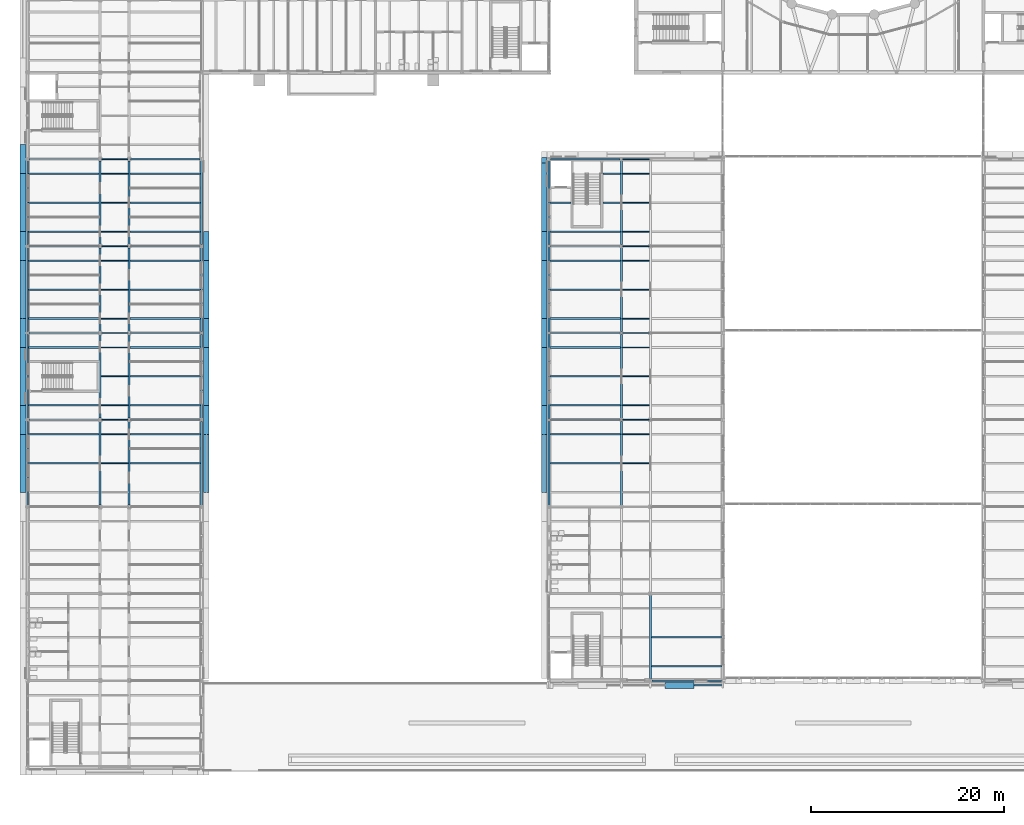
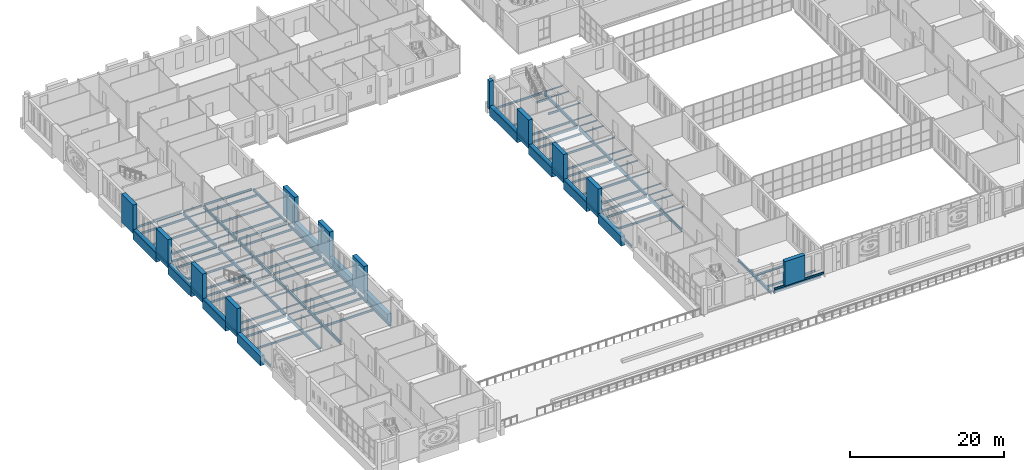
# One storey, part 23 of 134: 115 beams, 12 members.
"""IFC4 building model written with IfcOpenShell, lengths in metres."""

from ifc_helpers import new_model, si_unit, direction, frame, origin, origin_2d, place, context, subcontext, project, spatial, rectangle, i_section, extrude, material, material_profile, profile_set, type_object, element, save


model = new_model("IFC4")

# Units and contexts
model_context = context("Model", 3, precision=1e-05, world=origin(), true_north=direction((0.0, 1.0)))
body_context = subcontext(model_context, "Body", "Model", "MODEL_VIEW")
ifc_project = project(units=[si_unit("LENGTHUNIT", "METRE"), si_unit("AREAUNIT", "SQUARE_METRE"), si_unit("VOLUMEUNIT", "CUBIC_METRE"), si_unit("PLANEANGLEUNIT", "RADIAN"), si_unit("MASSUNIT", "GRAM", prefix="KILO")], contexts=[model_context])

# Site, building, storey
site_placement = place(None, origin())
site = spatial("IfcSite", under=ifc_project, at=site_placement, CompositionType="ELEMENT")
building_placement = place(site_placement, origin())
building = spatial("IfcBuilding", under=site, at=building_placement, Name="Golden Quay Civic Hall", CompositionType="ELEMENT")
storey_placement = place(building_placement, frame((0.0, 0.0, 5.39990234375)))
storey = spatial("IfcBuildingStorey", under=building, at=storey_placement, Name="L01", CompositionType="ELEMENT", Elevation=5.39990234375)

# Members
ifc_material_1 = material(Name="Concrete C40/50", Category="concrete")
ifc_material_profile_1 = material_profile(ifc_material_1, rectangle(XDim=3.0, YDim=0.60009765625, at=origin_2d()), Name="RC 3000x600")
ifc_profile_set_1 = profile_set([ifc_material_profile_1], Name="Concrete C40/50")
member_type_1 = type_object("IfcMemberType", Name="Precast concrete facade pier 3000 x 600", PredefinedType="POST", material=ifc_profile_set_1)
for number, where, z_axis, x_axis, name in (
    (1, (-0.5, 27.0, 0.0), (0.0, 0.0, 1.0), (0.0, 1.0, 0.0), "Precast concrete facade pier 3000 x 600 L01 3"),
    (2, (-0.5, 36.0, 0.0), (0.0, 0.0, 1.0), (0.0, 1.0, 0.0), "Precast concrete facade pier 3000 x 600 L01 4"),
    (3, (-0.5, 45.0, 0.0), (0.0, 0.0, 1.0), (0.0, 1.0, 0.0), "Precast concrete facade pier 3000 x 600 L01 5"),
    (4, (-0.5, 54.0, 0.0), (0.0, 0.0, 1.0), (0.0, 1.0, 0.0), "Precast concrete facade pier 3000 x 600 L01 6"),
    (5, (18.5, 27.0, 0.0), (0.0, 0.0, 1.0), (0.0, 1.0, 0.0), "Precast concrete facade pier 3000 x 600 L01 13"),
    (6, (18.5, 36.0, 0.0), (0.0, 0.0, 1.0), (0.0, 1.0, 0.0), "Precast concrete facade pier 3000 x 600 L01 14"),
    (7, (18.5, 45.0, 0.0), (0.0, 0.0, 1.0), (0.0, 1.0, 0.0), "Precast concrete facade pier 3000 x 600 L01 15"),
    (8, (53.5, 27.0, 0.0), (0.0, 0.0, 1.0), (0.0, 1.0, 0.0), "Precast concrete facade pier 3000 x 600 L01 19"),
    (9, (53.5, 36.0, 0.0), (0.0, 0.0, 1.0), (0.0, 1.0, 0.0), "Precast concrete facade pier 3000 x 600 L01 20"),
    (10, (53.5, 45.0, 0.0), (0.0, 0.0, 1.0), (0.0, 1.0, 0.0), "Precast concrete facade pier 3000 x 600 L01 21"),
):
    element("IfcMember", number, at=place(storey_placement, frame(where, z_axis=z_axis, x_axis=x_axis)), inside=storey, type_object=member_type_1, Name=name, PredefinedType="POST", context=body_context, shape_type="SweptSolid", body=[
        extrude(rectangle(XDim=3.0, YDim=0.60009765625, at=origin_2d()), origin(), (0.0, 0.0, 1.0), 4.5),
    ])
member_1_placement = place(storey_placement, frame((67.5, -0.5, 0.66015625), z_axis=(0.0, 0.0, 1.0), x_axis=(1.0, 0.0, 0.0)))
element("IfcMember", 11, at=member_1_placement, inside=storey, type_object=member_type_1, Name="Precast concrete facade pier 3000 x 600 L01 25", PredefinedType="POST", context=body_context, shape_type="SweptSolid", body=[
    extrude(rectangle(XDim=3.0, YDim=0.60009765625, at=origin_2d()), origin(), (0.0, 0.0, 1.0), 3.83984375),
])
ifc_material_2 = material(Name="Concrete C40/50", Category="concrete")
ifc_material_profile_2 = material_profile(ifc_material_2, rectangle(XDim=0.60009765625, YDim=0.60009765625, at=origin_2d()), Name="RC 600x600")
ifc_profile_set_2 = profile_set([ifc_material_profile_2], Name="Concrete C40/50")
member_type_2 = type_object("IfcMemberType", Name="Precast concrete facade post 600 x 600", PredefinedType="POST", material=ifc_profile_set_2)
member_2_placement = place(storey_placement, frame((53.5, 53.89990234375, 0.0), z_axis=(0.0, 0.0, 1.0), x_axis=(1.0, 0.0, 0.0)))
element("IfcMember", 12, at=member_2_placement, inside=storey, type_object=member_type_2, Name="Precast concrete facade post 600 x 600 L01 6", PredefinedType="POST", context=body_context, shape_type="SweptSolid", body=[
    extrude(rectangle(XDim=0.60009765625, YDim=0.60009765625, at=origin_2d()), origin(), (0.0, 0.0, 1.0), 4.5),
])

# Beams
ifc_material_3 = material(Name="Concrete C40/50", Category="concrete")
ifc_material_profile_3 = material_profile(ifc_material_3, rectangle(XDim=0.60009765625, YDim=1.5, at=origin_2d()), Name="RC 600x1500")
ifc_profile_set_3 = profile_set([ifc_material_profile_3], Name="Concrete C40/50")
beam_type_1 = type_object("IfcBeamType", Name="Precast concrete spandrel beam 600 x 1500", PredefinedType="SPANDREL", material=ifc_profile_set_3)
for number, where, z_axis, x_axis, name in (
    (13, (-0.5, 28.5, -0.14990234375), (0.0, 1.0, 0.0), (-1.0, 0.0, 0.0), "Precast concrete spandrel beam 600 x 1500 L01 1"),
    (14, (-0.5, 46.5, -0.14990234375), (0.0, 1.0, 0.0), (-1.0, 0.0, 0.0), "Precast concrete spandrel beam 600 x 1500 L01 8"),
    (15, (-0.5, 37.5, -0.14990234375), (0.0, 1.0, 0.0), (-1.0, 0.0, 0.0), "Precast concrete spandrel beam 600 x 1500 L01 9"),
    (16, (-0.5, 19.5, -0.14990234375), (0.0, 1.0, 0.0), (-1.0, 0.0, 0.0), "Precast concrete spandrel beam 600 x 1500 L01 10"),
    (17, (18.5, 28.5, -0.14990234375), (0.0, 1.0, 0.0), (-1.0, 0.0, 0.0), "Precast concrete spandrel beam 600 x 1500 L01 13"),
    (18, (18.5, 37.5, -0.14990234375), (0.0, 1.0, 0.0), (-1.0, 0.0, 0.0), "Precast concrete spandrel beam 600 x 1500 L01 14"),
    (19, (18.5, 19.5, -0.14990234375), (0.0, 1.0, 0.0), (-1.0, 0.0, 0.0), "Precast concrete spandrel beam 600 x 1500 L01 15"),
    (20, (53.5, 37.5, -0.14990234375), (0.0, 1.0, 0.0), (-1.0, 0.0, 0.0), "Precast concrete spandrel beam 600 x 1500 L01 17"),
):
    element("IfcBeam", number, at=place(storey_placement, frame(where, z_axis=z_axis, x_axis=x_axis)), inside=storey, type_object=beam_type_1, Name=name, PredefinedType="SPANDREL", context=body_context, shape_type="SweptSolid", body=[
        extrude(rectangle(XDim=0.60009765625, YDim=1.5, at=origin_2d()), origin(), (0.0, 0.0, 1.0), 6.0),
    ])
beam_1_placement = place(storey_placement, frame((53.5, 46.5, -0.14990234375), z_axis=(0.0, 1.0, 0.0), x_axis=(-1.0, 0.0, 0.0)))
element("IfcBeam", 21, at=beam_1_placement, inside=storey, type_object=beam_type_1, Name="Precast concrete spandrel beam 600 x 1500 L01 18", PredefinedType="SPANDREL", context=body_context, shape_type="SweptSolid", body=[
    extrude(rectangle(XDim=0.60009765625, YDim=1.5, at=origin_2d()), origin(), (0.0, 0.0, 1.0), 7.10009765625),
])
for number, where, z_axis, x_axis, name in (
    (22, (53.5, 28.5, -0.14990234375), (0.0, 1.0, 0.0), (-1.0, 0.0, 0.0), "Precast concrete spandrel beam 600 x 1500 L01 20"),
    (23, (53.5, 19.5, -0.14990234375), (0.0, 1.0, 0.0), (-1.0, 0.0, 0.0), "Precast concrete spandrel beam 600 x 1500 L01 21"),
):
    element("IfcBeam", number, at=place(storey_placement, frame(where, z_axis=z_axis, x_axis=x_axis)), inside=storey, type_object=beam_type_1, Name=name, PredefinedType="SPANDREL", context=body_context, shape_type="SweptSolid", body=[
        extrude(rectangle(XDim=0.60009765625, YDim=1.5, at=origin_2d()), origin(), (0.0, 0.0, 1.0), 6.0),
    ])
ifc_material_4 = material(Name="Steel S355", Category="steel")
ifc_material_profile_4 = material_profile(ifc_material_4, i_section(OverallWidth=0.10009765625, OverallDepth=0.199951171875, WebThickness=0.005615234375, FlangeThickness=0.008544921875, FilletRadius=0.011962890625, at=origin_2d()), Name="IPE 200")
ifc_profile_set_4 = profile_set([ifc_material_profile_4], Name="Steel S355")
beam_type_2 = type_object("IfcBeamType", Name="Steel beam IPE 200", PredefinedType="BEAM", material=ifc_profile_set_4)
for number, where, z_axis, x_axis, name in (
    (24, (7.64990234375, 27.0, -0.2998046875), (1.0, 0.0, 0.0), (0.0, 1.0, 0.0), "Beam S27-7.5"),
    (25, (7.64990234375, 36.0, -0.2998046875), (1.0, 0.0, 0.0), (0.0, 1.0, 0.0), "Beam S36-7.5"),
    (26, (7.64990234375, 45.0, -0.2998046875), (1.0, 0.0, 0.0), (0.0, 1.0, 0.0), "Beam S45-7.5"),
    (27, (7.64990234375, 54.0, -0.2998046875), (1.0, 0.0, 0.0), (0.0, 1.0, 0.0), "Beam S54-7.5"),
    (28, (61.64990234375, 27.0, -0.2998046875), (1.0, 0.0, 0.0), (0.0, 1.0, 0.0), "Beam S27-61.5"),
    (29, (61.64990234375, 36.0, -0.2998046875), (1.0, 0.0, 0.0), (0.0, 1.0, 0.0), "Beam S36-61.5"),
    (30, (61.64990234375, 45.0, -0.2998046875), (1.0, 0.0, 0.0), (0.0, 1.0, 0.0), "Beam S45-61.5"),
    (31, (61.64990234375, 54.0, -0.2998046875), (1.0, 0.0, 0.0), (0.0, 1.0, 0.0), "Beam S54-61.5"),
):
    element("IfcBeam", number, at=place(storey_placement, frame(where, z_axis=z_axis, x_axis=x_axis)), inside=storey, type_object=beam_type_2, Name=name, PredefinedType="BEAM", context=body_context, shape_type="SweptSolid", body=[
        extrude(i_section(OverallWidth=0.10009765625, OverallDepth=0.199951171875, WebThickness=0.005615234375, FlangeThickness=0.008544921875, FilletRadius=0.011962890625, at=origin_2d()), origin(), (0.0, 0.0, 1.0), 2.7001953125),
    ])
ifc_material_5 = material(Name="Steel S355", Category="steel")
ifc_material_profile_5 = material_profile(ifc_material_5, i_section(OverallWidth=0.159912109375, OverallDepth=0.330078125, WebThickness=0.007568359375, FlangeThickness=0.011474609375, FilletRadius=0.01806640625, at=origin_2d()), Name="IPE 330")
ifc_profile_set_5 = profile_set([ifc_material_profile_5], Name="Steel S355")
beam_type_3 = type_object("IfcBeamType", Name="Steel beam IPE 330", PredefinedType="BEAM", material=ifc_profile_set_5)
for number, where, z_axis, x_axis, name in (
    (32, (0.14990234375, 27.0, -0.364990234375), (1.0, 0.0, 0.0), (0.0, 1.0, 0.0), "Beam S27-0"),
    (33, (10.64990234375, 27.0, -0.364990234375), (1.0, 0.0, 0.0), (0.0, 1.0, 0.0), "Beam S27-10.5"),
    (34, (0.14990234375, 36.0, -0.364990234375), (1.0, 0.0, 0.0), (0.0, 1.0, 0.0), "Beam S36-0"),
    (35, (10.64990234375, 36.0, -0.364990234375), (1.0, 0.0, 0.0), (0.0, 1.0, 0.0), "Beam S36-10.5"),
    (36, (0.14990234375, 45.0, -0.364990234375), (1.0, 0.0, 0.0), (0.0, 1.0, 0.0), "Beam S45-0"),
    (37, (10.64990234375, 45.0, -0.364990234375), (1.0, 0.0, 0.0), (0.0, 1.0, 0.0), "Beam S45-10.5"),
    (38, (0.14990234375, 54.0, -0.364990234375), (1.0, 0.0, 0.0), (0.0, 1.0, 0.0), "Beam S54-0"),
    (39, (10.64990234375, 54.0, -0.364990234375), (1.0, 0.0, 0.0), (0.0, 1.0, 0.0), "Beam S54-10.5"),
    (40, (64.64990234375, 0.0, -0.364990234375), (1.0, 0.0, 0.0), (0.0, 1.0, 0.0), "Beam S0-64.5"),
    (41, (54.14990234375, 27.0, -0.364990234375), (1.0, 0.0, 0.0), (0.0, 1.0, 0.0), "Beam S27-54"),
    (42, (54.14990234375, 36.0, -0.364990234375), (1.0, 0.0, 0.0), (0.0, 1.0, 0.0), "Beam S36-54"),
    (43, (54.14990234375, 45.0, -0.364990234375), (1.0, 0.0, 0.0), (0.0, 1.0, 0.0), "Beam S45-54"),
    (44, (54.14990234375, 54.0, -0.364990234375), (1.0, 0.0, 0.0), (0.0, 1.0, 0.0), "Beam S54-54"),
):
    element("IfcBeam", number, at=place(storey_placement, frame(where, z_axis=z_axis, x_axis=x_axis)), inside=storey, type_object=beam_type_3, Name=name, PredefinedType="BEAM", context=body_context, shape_type="SweptSolid", body=[
        extrude(i_section(OverallWidth=0.159912109375, OverallDepth=0.330078125, WebThickness=0.007568359375, FlangeThickness=0.011474609375, FilletRadius=0.01806640625, at=origin_2d()), origin(), (0.0, 0.0, 1.0), 7.2001953125),
    ])
ifc_material_6 = material(Name="Steel S355", Category="steel")
ifc_material_profile_6 = material_profile(ifc_material_6, i_section(OverallWidth=0.179931640625, OverallDepth=0.39990234375, WebThickness=0.008544921875, FlangeThickness=0.013427734375, FilletRadius=0.02099609375, at=origin_2d()), Name="IPE 400")
ifc_profile_set_6 = profile_set([ifc_material_profile_6], Name="Steel S355")
beam_type_4 = type_object("IfcBeamType", Name="Steel beam IPE 400", PredefinedType="BEAM", material=ifc_profile_set_6)
for number, where, z_axis, x_axis, name in (
    (45, (0.0, 18.14990234375, -0.39990234375), (0.0, 1.0, 0.0), (-1.0, 0.0, 0.0), "Beam L0-18"),
    (46, (0.0, 27.14990234375, -0.39990234375), (0.0, 1.0, 0.0), (-1.0, 0.0, 0.0), "Beam L0-27"),
    (47, (0.0, 36.14990234375, -0.39990234375), (0.0, 1.0, 0.0), (-1.0, 0.0, 0.0), "Beam L0-36"),
    (48, (0.0, 45.14990234375, -0.39990234375), (0.0, 1.0, 0.0), (-1.0, 0.0, 0.0), "Beam L0-45"),
    (49, (18.0, 18.14990234375, -0.39990234375), (0.0, 1.0, 0.0), (-1.0, 0.0, 0.0), "Beam L18-18"),
    (50, (18.0, 27.14990234375, -0.39990234375), (0.0, 1.0, 0.0), (-1.0, 0.0, 0.0), "Beam L18-27"),
    (51, (18.0, 36.14990234375, -0.39990234375), (0.0, 1.0, 0.0), (-1.0, 0.0, 0.0), "Beam L18-36"),
    (52, (18.0, 45.14990234375, -0.39990234375), (0.0, 1.0, 0.0), (-1.0, 0.0, 0.0), "Beam L18-45"),
):
    element("IfcBeam", number, at=place(storey_placement, frame(where, z_axis=z_axis, x_axis=x_axis)), inside=storey, type_object=beam_type_4, Name=name, PredefinedType="BEAM", context=body_context, shape_type="SweptSolid", body=[
        extrude(i_section(OverallWidth=0.179931640625, OverallDepth=0.39990234375, WebThickness=0.008544921875, FlangeThickness=0.013427734375, FilletRadius=0.02099609375, at=origin_2d()), origin(), (0.0, 0.0, 1.0), 8.7001953125),
    ])
for number, where, z_axis, x_axis, name in (
    (53, (54.0, 18.14501953125, -0.39990234375), (0.0, 1.0, 0.0), (-1.0, 0.0, 0.0), "Beam L54-18"),
    (54, (54.0, 27.14501953125, -0.39990234375), (0.0, 1.0, 0.0), (-1.0, 0.0, 0.0), "Beam L54-27"),
    (55, (54.0, 36.14501953125, -0.39990234375), (0.0, 1.0, 0.0), (-1.0, 0.0, 0.0), "Beam L54-36"),
    (56, (54.0, 45.14501953125, -0.39990234375), (0.0, 1.0, 0.0), (-1.0, 0.0, 0.0), "Beam L54-45"),
):
    element("IfcBeam", number, at=place(storey_placement, frame(where, z_axis=z_axis, x_axis=x_axis)), inside=storey, type_object=beam_type_4, Name=name, PredefinedType="BEAM", context=body_context, shape_type="SweptSolid", body=[
        extrude(i_section(OverallWidth=0.179931640625, OverallDepth=0.39990234375, WebThickness=0.008544921875, FlangeThickness=0.013427734375, FilletRadius=0.02099609375, at=origin_2d()), origin(), (0.0, 0.0, 1.0), 8.7099609375),
    ])
ifc_material_7 = material(Name="Steel S355", Category="steel")
ifc_material_profile_7 = material_profile(ifc_material_7, i_section(OverallWidth=0.199951171875, OverallDepth=0.5, WebThickness=0.01025390625, FlangeThickness=0.01611328125, FilletRadius=0.02099609375, at=origin_2d()), Name="IPE 500")
ifc_profile_set_7 = profile_set([ifc_material_profile_7], Name="Steel S355")
beam_type_5 = type_object("IfcBeamType", Name="Steel beam IPE 500", PredefinedType="BEAM", material=ifc_profile_set_7)
for number, where, z_axis, x_axis, name in (
    (57, (7.5, 18.179931640625, -0.449951171875), (0.0, 1.0, 0.0), (-1.0, 0.0, 0.0), "Beam L7.5-18"),
    (58, (7.5, 27.179931640625, -0.449951171875), (0.0, 1.0, 0.0), (-1.0, 0.0, 0.0), "Beam L7.5-27"),
    (59, (7.5, 36.179931640625, -0.449951171875), (0.0, 1.0, 0.0), (-1.0, 0.0, 0.0), "Beam L7.5-36"),
    (60, (7.5, 45.179931640625, -0.449951171875), (0.0, 1.0, 0.0), (-1.0, 0.0, 0.0), "Beam L7.5-45"),
    (61, (10.5, 18.179931640625, -0.449951171875), (0.0, 1.0, 0.0), (-1.0, 0.0, 0.0), "Beam L10.5-18"),
    (62, (10.5, 27.179931640625, -0.449951171875), (0.0, 1.0, 0.0), (-1.0, 0.0, 0.0), "Beam L10.5-27"),
    (63, (10.5, 36.179931640625, -0.449951171875), (0.0, 1.0, 0.0), (-1.0, 0.0, 0.0), "Beam L10.5-36"),
    (64, (10.5, 45.179931640625, -0.449951171875), (0.0, 1.0, 0.0), (-1.0, 0.0, 0.0), "Beam L10.5-45"),
):
    element("IfcBeam", number, at=place(storey_placement, frame(where, z_axis=z_axis, x_axis=x_axis)), inside=storey, type_object=beam_type_5, Name=name, PredefinedType="BEAM", context=body_context, shape_type="SweptSolid", body=[
        extrude(i_section(OverallWidth=0.199951171875, OverallDepth=0.5, WebThickness=0.01025390625, FlangeThickness=0.01611328125, FilletRadius=0.02099609375, at=origin_2d()), origin(), (0.0, 0.0, 1.0), 8.64013671875),
    ])
for number, where, z_axis, x_axis, name in (
    (65, (61.5, 18.14990234375, -0.449951171875), (0.0, 1.0, 0.0), (-1.0, 0.0, 0.0), "Beam L61.5-18"),
    (66, (61.5, 27.14990234375, -0.449951171875), (0.0, 1.0, 0.0), (-1.0, 0.0, 0.0), "Beam L61.5-27"),
    (67, (61.5, 36.14990234375, -0.449951171875), (0.0, 1.0, 0.0), (-1.0, 0.0, 0.0), "Beam L61.5-36"),
):
    element("IfcBeam", number, at=place(storey_placement, frame(where, z_axis=z_axis, x_axis=x_axis)), inside=storey, type_object=beam_type_5, Name=name, PredefinedType="BEAM", context=body_context, shape_type="SweptSolid", body=[
        extrude(i_section(OverallWidth=0.199951171875, OverallDepth=0.5, WebThickness=0.01025390625, FlangeThickness=0.01611328125, FilletRadius=0.02099609375, at=origin_2d()), origin(), (0.0, 0.0, 1.0), 8.7001953125),
    ])
for number, where, z_axis, x_axis, name in (
    (68, (61.5, 45.14990234375, -0.449951171875), (0.0, 1.0, 0.0), (-1.0, 0.0, 0.0), "Beam L61.5-45"),
    (69, (64.5, 0.14501953125, -0.449951171875), (0.0, 1.0, 0.0), (-1.0, 0.0, 0.0), "Beam L64.5-0"),
):
    element("IfcBeam", number, at=place(storey_placement, frame(where, z_axis=z_axis, x_axis=x_axis)), inside=storey, type_object=beam_type_5, Name=name, PredefinedType="BEAM", context=body_context, shape_type="SweptSolid", body=[
        extrude(i_section(OverallWidth=0.199951171875, OverallDepth=0.5, WebThickness=0.01025390625, FlangeThickness=0.01611328125, FilletRadius=0.02099609375, at=origin_2d()), origin(), (0.0, 0.0, 1.0), 8.705078125),
    ])
ifc_material_8 = material(Name="Steel S355", Category="steel")
ifc_material_profile_8 = material_profile(ifc_material_8, i_section(OverallWidth=0.10009765625, OverallDepth=0.199951171875, WebThickness=0.005615234375, FlangeThickness=0.008544921875, FilletRadius=0.011962890625, at=origin_2d()), Name="IPE 200")
ifc_profile_set_8 = profile_set([ifc_material_profile_8], Name="Steel S355")
beam_type_6 = type_object("IfcBeamType", Name="Steel joist IPE 200", PredefinedType="JOIST", material=ifc_profile_set_8)
for number, where, z_axis, x_axis, name in (
    (70, (7.60009765625, 22.5, -0.2998046875), (1.0, 0.0, 0.0), (0.0, 1.0, 0.0), "Joist J22.5-7.5"),
    (71, (7.60009765625, 25.5, -0.2998046875), (1.0, 0.0, 0.0), (0.0, 1.0, 0.0), "Joist J25.5-7.5"),
    (72, (7.60009765625, 28.5, -0.2998046875), (1.0, 0.0, 0.0), (0.0, 1.0, 0.0), "Joist J28.5-7.5"),
    (73, (7.60009765625, 31.5, -0.2998046875), (1.0, 0.0, 0.0), (0.0, 1.0, 0.0), "Joist J31.5-7.5"),
    (74, (7.60009765625, 34.5, -0.2998046875), (1.0, 0.0, 0.0), (0.0, 1.0, 0.0), "Joist J34.5-7.5"),
    (75, (7.60009765625, 37.5, -0.2998046875), (1.0, 0.0, 0.0), (0.0, 1.0, 0.0), "Joist J37.5-7.5"),
    (76, (7.60009765625, 40.5, -0.2998046875), (1.0, 0.0, 0.0), (0.0, 1.0, 0.0), "Joist J40.5-7.5"),
    (77, (7.60009765625, 43.5, -0.2998046875), (1.0, 0.0, 0.0), (0.0, 1.0, 0.0), "Joist J43.5-7.5"),
    (78, (7.60009765625, 46.5, -0.2998046875), (1.0, 0.0, 0.0), (0.0, 1.0, 0.0), "Joist J46.5-7.5"),
    (79, (7.60009765625, 49.5, -0.2998046875), (1.0, 0.0, 0.0), (0.0, 1.0, 0.0), "Joist J49.5-7.5"),
    (80, (7.60009765625, 52.5, -0.2998046875), (1.0, 0.0, 0.0), (0.0, 1.0, 0.0), "Joist J52.5-7.5"),
    (81, (61.60009765625, 22.5, -0.2998046875), (1.0, 0.0, 0.0), (0.0, 1.0, 0.0), "Joist J22.5-61.5"),
    (82, (61.60009765625, 25.5, -0.2998046875), (1.0, 0.0, 0.0), (0.0, 1.0, 0.0), "Joist J25.5-61.5"),
    (83, (61.60009765625, 28.5, -0.2998046875), (1.0, 0.0, 0.0), (0.0, 1.0, 0.0), "Joist J28.5-61.5"),
    (84, (61.60009765625, 31.5, -0.2998046875), (1.0, 0.0, 0.0), (0.0, 1.0, 0.0), "Joist J31.5-61.5"),
    (85, (61.60009765625, 34.5, -0.2998046875), (1.0, 0.0, 0.0), (0.0, 1.0, 0.0), "Joist J34.5-61.5"),
    (86, (61.60009765625, 37.5, -0.2998046875), (1.0, 0.0, 0.0), (0.0, 1.0, 0.0), "Joist J37.5-61.5"),
    (87, (61.60009765625, 40.5, -0.2998046875), (1.0, 0.0, 0.0), (0.0, 1.0, 0.0), "Joist J40.5-61.5"),
    (88, (61.60009765625, 43.5, -0.2998046875), (1.0, 0.0, 0.0), (0.0, 1.0, 0.0), "Joist J43.5-61.5"),
    (89, (61.60009765625, 46.5, -0.2998046875), (1.0, 0.0, 0.0), (0.0, 1.0, 0.0), "Joist J46.5-61.5"),
    (90, (61.60009765625, 49.5, -0.2998046875), (1.0, 0.0, 0.0), (0.0, 1.0, 0.0), "Joist J49.5-61.5"),
    (91, (61.60009765625, 52.5, -0.2998046875), (1.0, 0.0, 0.0), (0.0, 1.0, 0.0), "Joist J52.5-61.5"),
):
    element("IfcBeam", number, at=place(storey_placement, frame(where, z_axis=z_axis, x_axis=x_axis)), inside=storey, type_object=beam_type_6, Name=name, PredefinedType="JOIST", context=body_context, shape_type="SweptSolid", body=[
        extrude(i_section(OverallWidth=0.10009765625, OverallDepth=0.199951171875, WebThickness=0.005615234375, FlangeThickness=0.008544921875, FilletRadius=0.011962890625, at=origin_2d()), origin(), (0.0, 0.0, 1.0), 2.7998046875),
    ])
ifc_material_9 = material(Name="Steel S355", Category="steel")
ifc_material_profile_9 = material_profile(ifc_material_9, i_section(OverallWidth=0.159912109375, OverallDepth=0.330078125, WebThickness=0.007568359375, FlangeThickness=0.011474609375, FilletRadius=0.01806640625, at=origin_2d()), Name="IPE 330")
ifc_profile_set_9 = profile_set([ifc_material_profile_9], Name="Steel S355")
beam_type_7 = type_object("IfcBeamType", Name="Steel joist IPE 330", PredefinedType="JOIST", material=ifc_profile_set_9)
for number, where, z_axis, x_axis, name in (
    (92, (0.090087890625, 22.5, -0.364990234375), (1.0, 0.0, 0.0), (0.0, 1.0, 0.0), "Joist J22.5-0"),
    (93, (10.60009765625, 22.5, -0.364990234375), (1.0, 0.0, 0.0), (0.0, 1.0, 0.0), "Joist J22.5-10.5"),
    (94, (0.090087890625, 25.5, -0.364990234375), (1.0, 0.0, 0.0), (0.0, 1.0, 0.0), "Joist J25.5-0"),
    (95, (10.60009765625, 25.5, -0.364990234375), (1.0, 0.0, 0.0), (0.0, 1.0, 0.0), "Joist J25.5-10.5"),
    (96, (0.090087890625, 28.5, -0.364990234375), (1.0, 0.0, 0.0), (0.0, 1.0, 0.0), "Joist J28.5-0"),
    (97, (10.60009765625, 28.5, -0.364990234375), (1.0, 0.0, 0.0), (0.0, 1.0, 0.0), "Joist J28.5-10.5"),
    (98, (10.60009765625, 31.5, -0.364990234375), (1.0, 0.0, 0.0), (0.0, 1.0, 0.0), "Joist J31.5-10.5"),
    (99, (0.090087890625, 34.5, -0.364990234375), (1.0, 0.0, 0.0), (0.0, 1.0, 0.0), "Joist J34.5-0"),
    (100, (10.60009765625, 34.5, -0.364990234375), (1.0, 0.0, 0.0), (0.0, 1.0, 0.0), "Joist J34.5-10.5"),
    (101, (0.090087890625, 37.5, -0.364990234375), (1.0, 0.0, 0.0), (0.0, 1.0, 0.0), "Joist J37.5-0"),
    (102, (10.60009765625, 37.5, -0.364990234375), (1.0, 0.0, 0.0), (0.0, 1.0, 0.0), "Joist J37.5-10.5"),
    (103, (0.090087890625, 40.5, -0.364990234375), (1.0, 0.0, 0.0), (0.0, 1.0, 0.0), "Joist J40.5-0"),
    (104, (10.60009765625, 40.5, -0.364990234375), (1.0, 0.0, 0.0), (0.0, 1.0, 0.0), "Joist J40.5-10.5"),
    (105, (0.090087890625, 43.5, -0.364990234375), (1.0, 0.0, 0.0), (0.0, 1.0, 0.0), "Joist J43.5-0"),
    (106, (10.60009765625, 43.5, -0.364990234375), (1.0, 0.0, 0.0), (0.0, 1.0, 0.0), "Joist J43.5-10.5"),
    (107, (0.090087890625, 46.5, -0.364990234375), (1.0, 0.0, 0.0), (0.0, 1.0, 0.0), "Joist J46.5-0"),
    (108, (10.60009765625, 46.5, -0.364990234375), (1.0, 0.0, 0.0), (0.0, 1.0, 0.0), "Joist J46.5-10.5"),
    (109, (0.090087890625, 49.5, -0.364990234375), (1.0, 0.0, 0.0), (0.0, 1.0, 0.0), "Joist J49.5-0"),
    (110, (10.60009765625, 49.5, -0.364990234375), (1.0, 0.0, 0.0), (0.0, 1.0, 0.0), "Joist J49.5-10.5"),
    (111, (0.090087890625, 52.5, -0.364990234375), (1.0, 0.0, 0.0), (0.0, 1.0, 0.0), "Joist J52.5-0"),
    (112, (10.60009765625, 52.5, -0.364990234375), (1.0, 0.0, 0.0), (0.0, 1.0, 0.0), "Joist J52.5-10.5"),
    (113, (64.60009765625, 1.5, -0.364990234375), (1.0, 0.0, 0.0), (0.0, 1.0, 0.0), "Joist J1.5-64.5"),
    (114, (64.60009765625, 4.5, -0.364990234375), (1.0, 0.0, 0.0), (0.0, 1.0, 0.0), "Joist J4.5-64.5"),
    (115, (54.090087890625, 22.5, -0.364990234375), (1.0, 0.0, 0.0), (0.0, 1.0, 0.0), "Joist J22.5-54"),
    (116, (54.090087890625, 25.5, -0.364990234375), (1.0, 0.0, 0.0), (0.0, 1.0, 0.0), "Joist J25.5-54"),
    (117, (54.090087890625, 28.5, -0.364990234375), (1.0, 0.0, 0.0), (0.0, 1.0, 0.0), "Joist J28.5-54"),
    (118, (54.090087890625, 31.5, -0.364990234375), (1.0, 0.0, 0.0), (0.0, 1.0, 0.0), "Joist J31.5-54"),
    (119, (54.090087890625, 34.5, -0.364990234375), (1.0, 0.0, 0.0), (0.0, 1.0, 0.0), "Joist J34.5-54"),
    (120, (54.090087890625, 37.5, -0.364990234375), (1.0, 0.0, 0.0), (0.0, 1.0, 0.0), "Joist J37.5-54"),
    (121, (54.090087890625, 40.5, -0.364990234375), (1.0, 0.0, 0.0), (0.0, 1.0, 0.0), "Joist J40.5-54"),
    (122, (54.090087890625, 43.5, -0.364990234375), (1.0, 0.0, 0.0), (0.0, 1.0, 0.0), "Joist J43.5-54"),
    (123, (54.090087890625, 46.5, -0.364990234375), (1.0, 0.0, 0.0), (0.0, 1.0, 0.0), "Joist J46.5-54"),
):
    element("IfcBeam", number, at=place(storey_placement, frame(where, z_axis=z_axis, x_axis=x_axis)), inside=storey, type_object=beam_type_7, Name=name, PredefinedType="JOIST", context=body_context, shape_type="SweptSolid", body=[
        extrude(i_section(OverallWidth=0.159912109375, OverallDepth=0.330078125, WebThickness=0.007568359375, FlangeThickness=0.011474609375, FilletRadius=0.01806640625, at=origin_2d()), origin(), (0.0, 0.0, 1.0), 7.309814453125),
    ])
beam_2_placement = place(storey_placement, frame((54.090087890625, 49.5, -0.364990234375), z_axis=(1.0, 0.0, 0.0), x_axis=(0.0, 1.0, 0.0)))
element("IfcBeam", 124, at=beam_2_placement, inside=storey, type_object=beam_type_7, Name="Joist J49.5-54-0", PredefinedType="JOIST", context=body_context, shape_type="SweptSolid", body=[
    extrude(i_section(OverallWidth=0.159912109375, OverallDepth=0.330078125, WebThickness=0.007568359375, FlangeThickness=0.011474609375, FilletRadius=0.01806640625, at=origin_2d()), origin(), (0.0, 0.0, 1.0), 2.159912109375),
])
for number, where, z_axis, x_axis, name in (
    (125, (59.60009765625, 49.5, -0.364990234375), (1.0, 0.0, 0.0), (0.0, 1.0, 0.0), "Joist J49.5-54-1"),
    (126, (59.60009765625, 52.5, -0.364990234375), (1.0, 0.0, 0.0), (0.0, 1.0, 0.0), "Joist J52.5-54-1"),
):
    element("IfcBeam", number, at=place(storey_placement, frame(where, z_axis=z_axis, x_axis=x_axis)), inside=storey, type_object=beam_type_7, Name=name, PredefinedType="JOIST", context=body_context, shape_type="SweptSolid", body=[
        extrude(i_section(OverallWidth=0.159912109375, OverallDepth=0.330078125, WebThickness=0.007568359375, FlangeThickness=0.011474609375, FilletRadius=0.01806640625, at=origin_2d()), origin(), (0.0, 0.0, 1.0), 1.7998046875),
    ])
ifc_material_10 = material(Name="Steel S355", Category="steel")
ifc_material_profile_10 = material_profile(ifc_material_10, i_section(OverallWidth=0.159912109375, OverallDepth=0.330078125, WebThickness=0.007568359375, FlangeThickness=0.011474609375, FilletRadius=0.01806640625, at=origin_2d()), Name="IPE 330")
ifc_profile_set_10 = profile_set([ifc_material_profile_10], Name="Steel S355")
beam_type_8 = type_object("IfcBeamType", Name="Steel pier plinth beam IPE 330", PredefinedType="BEAM", material=ifc_profile_set_10)
beam_3_placement = place(storey_placement, frame((64.5, -0.5, 0.4951171875), z_axis=(1.0, 0.0, 0.0), x_axis=(0.0, 1.0, 0.0)))
element("IfcBeam", 127, at=beam_3_placement, inside=storey, type_object=beam_type_8, Name="Steel pier plinth beam IPE 330 L01 2", PredefinedType="BEAM", context=body_context, shape_type="SweptSolid", body=[
    extrude(i_section(OverallWidth=0.159912109375, OverallDepth=0.330078125, WebThickness=0.007568359375, FlangeThickness=0.011474609375, FilletRadius=0.01806640625, at=origin_2d()), origin(), (0.0, 0.0, 1.0), 7.5),
])

save(model, "model.ifc")
